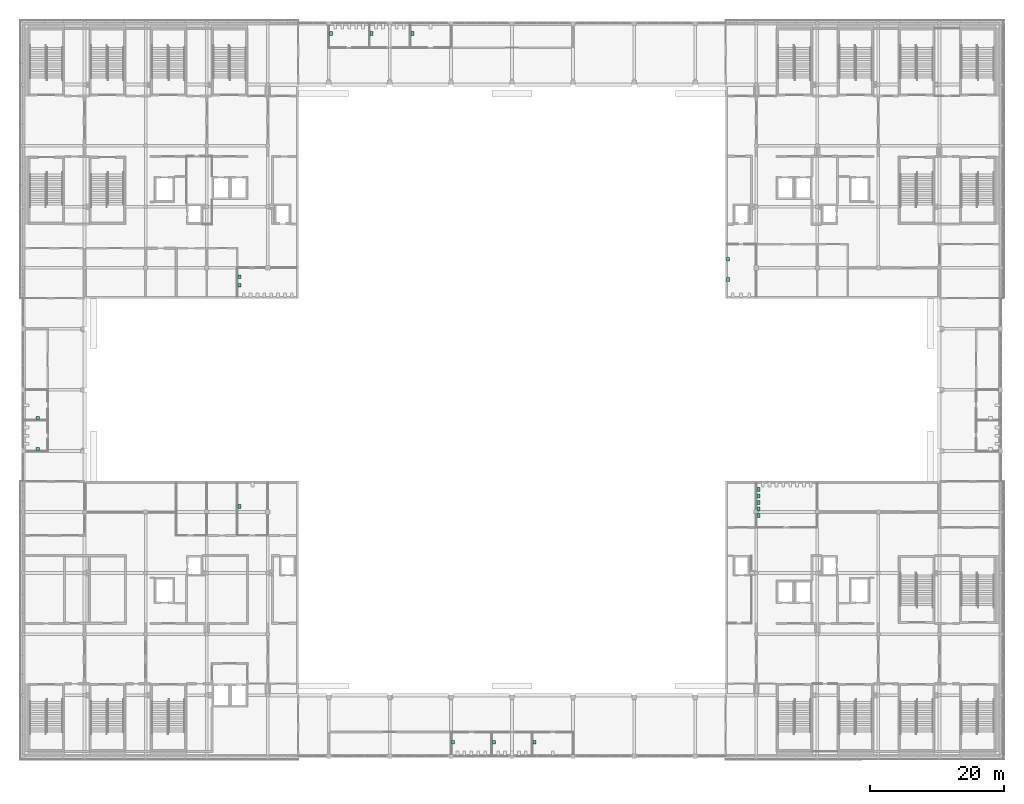
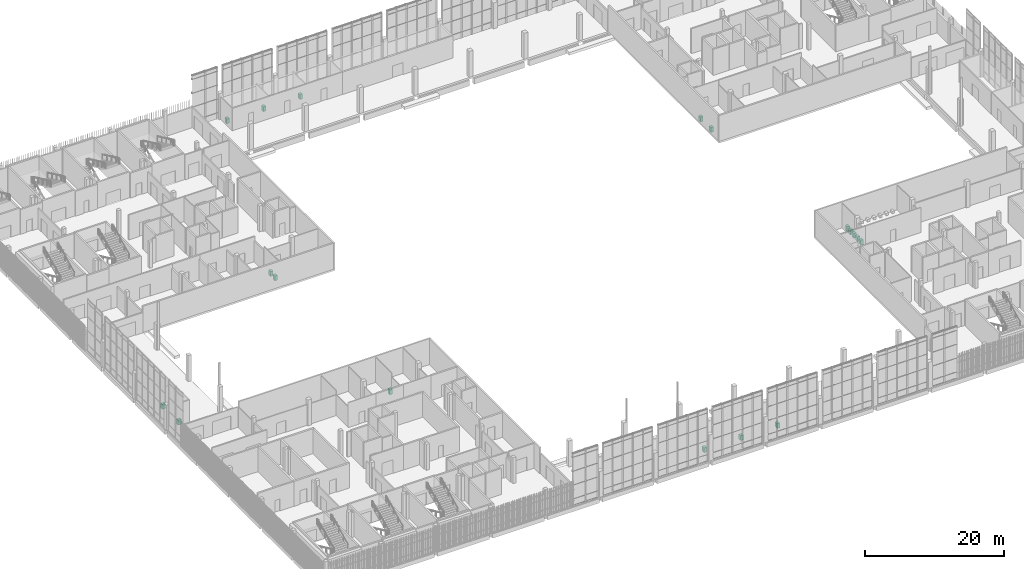
# One storey, part 89 of 91: 18 sanitary terminals.
"""IFC4 building model written with IfcOpenShell, lengths in metres."""

from ifc_helpers import new_model, si_unit, direction, frame, origin, origin_2d, place, context, subcontext, project, spatial, rectangle, extrude, element, save


model = new_model("IFC4")

# Units and contexts
model_context = context("Model", 3, precision=1e-05, world=origin(), true_north=direction((0.0, 1.0)))
body_context = subcontext(model_context, "Body", "Model", "MODEL_VIEW")
ifc_project = project(units=[si_unit("LENGTHUNIT", "METRE"), si_unit("AREAUNIT", "SQUARE_METRE"), si_unit("VOLUMEUNIT", "CUBIC_METRE"), si_unit("PLANEANGLEUNIT", "RADIAN"), si_unit("MASSUNIT", "GRAM", prefix="KILO")], contexts=[model_context])

# Site, building, storey
site_placement = place(None, origin())
site = spatial("IfcSite", under=ifc_project, at=site_placement, CompositionType="ELEMENT")
building_placement = place(site_placement, origin())
building = spatial("IfcBuilding", under=site, at=building_placement, Name="Shirokan Park Arena", CompositionType="ELEMENT")
storey_placement = place(building_placement, frame((0.0, 0.0, 24.570068359375)))
storey = spatial("IfcBuildingStorey", under=building, at=storey_placement, Name="L05", CompositionType="ELEMENT", Elevation=24.570068359375)

# Sanitary terminals
for number, where, z_axis, x_axis, name in (
    (1, (32.175048828125, 37.22509765625, 0.0), (0.0, 0.0, 1.0), (1.0, 0.0, 0.0), "Washbasin Accessible WC 5.14"),
    (2, (109.52490234375, 35.885009765625, 0.0), (0.0, 0.0, 1.0), (1.0, 0.0, 0.0), "Washbasin Men's WC 5.22"),
    (3, (109.52490234375, 36.85498046875, 0.0), (0.0, 0.0, 1.0), (1.0, 0.0, 0.0), "Washbasin Men's WC 5.22"),
    (4, (109.52490234375, 37.824951171875, 0.0), (0.0, 0.0, 1.0), (1.0, 0.0, 0.0), "Washbasin Men's WC 5.22"),
    (5, (109.52490234375, 38.794921875, 0.0), (0.0, 0.0, 1.0), (1.0, 0.0, 0.0), "Washbasin Men's WC 5.22"),
    (6, (109.52490234375, 39.764892578125, 0.0), (0.0, 0.0, 1.0), (1.0, 0.0, 0.0), "Washbasin Men's WC 5.22"),
    (7, (104.97509765625, 71.0625, 0.0), (0.0, 0.0, 1.0), (1.0, 0.0, 0.0), "Washbasin Women's WC 5.34"),
    (8, (104.97509765625, 74.08740234375, 0.0), (0.0, 0.0, 1.0), (1.0, 0.0, 0.0), "Washbasin Women's WC 5.34"),
    (9, (32.175048828125, 70.1875, 0.0), (0.0, 0.0, 1.0), (1.0, 0.0, 0.0), "Washbasin Men's WC 5.45"),
    (10, (32.175048828125, 71.46240234375, 0.0), (0.0, 0.0, 1.0), (1.0, 0.0, 0.0), "Washbasin Men's WC 5.45"),
    (11, (45.824951171875, 107.699951171875, 0.0), (0.0, 0.0, 1.0), (1.0, 0.0, 0.0), "Washbasin Men's WC 5.31"),
    (12, (51.8916015625, 107.699951171875, 0.0), (0.0, 0.0, 1.0), (1.0, 0.0, 0.0), "Washbasin Women's WC 5.32"),
    (13, (57.958251953125, 107.699951171875, 0.0), (0.0, 0.0, 1.0), (1.0, 0.0, 0.0), "Washbasin Accessible WC 5.33"),
    (14, (64.02490234375, 2.10009765625, 0.0), (0.0, 0.0, 1.0), (1.0, 0.0, 0.0), "Washbasin Men's WC 5.42"),
    (15, (70.091796875, 2.10009765625, 0.0), (0.0, 0.0, 1.0), (1.0, 0.0, 0.0), "Washbasin Women's WC 5.43"),
    (16, (76.158203125, 2.10009765625, 0.0), (0.0, 0.0, 1.0), (1.0, 0.0, 0.0), "Washbasin Accessible WC 5.44"),
):
    element("IfcSanitaryTerminal", number, at=place(storey_placement, frame(where, z_axis=z_axis, x_axis=x_axis)), inside=storey, Name=name, PredefinedType="WASHHANDBASIN", context=body_context, shape_type="SweptSolid", body=[
        extrude(rectangle(XDim=0.449951171875, YDim=0.550048828125, at=origin_2d()), origin(), (0.0, 0.0, 1.0), 0.85009765625),
    ])
for number, where, z_axis, x_axis, name in (
    (17, (2.10009765625, 45.824951171875, 0.0), (0.0, 0.0, 1.0), (1.0, 0.0, 0.0), "Washbasin Women's WC 5.11"),
    (18, (2.10009765625, 50.375, 0.0), (0.0, 0.0, 1.0), (1.0, 0.0, 0.0), "Washbasin Accessible WC 5.12"),
):
    element("IfcSanitaryTerminal", number, at=place(storey_placement, frame(where, z_axis=z_axis, x_axis=x_axis)), inside=storey, Name=name, PredefinedType="WASHHANDBASIN", context=body_context, shape_type="SweptSolid", body=[
        extrude(rectangle(XDim=0.550048828125, YDim=0.449951171875, at=origin_2d()), origin(), (0.0, 0.0, 1.0), 0.85009765625),
    ])

save(model, "model.ifc")
